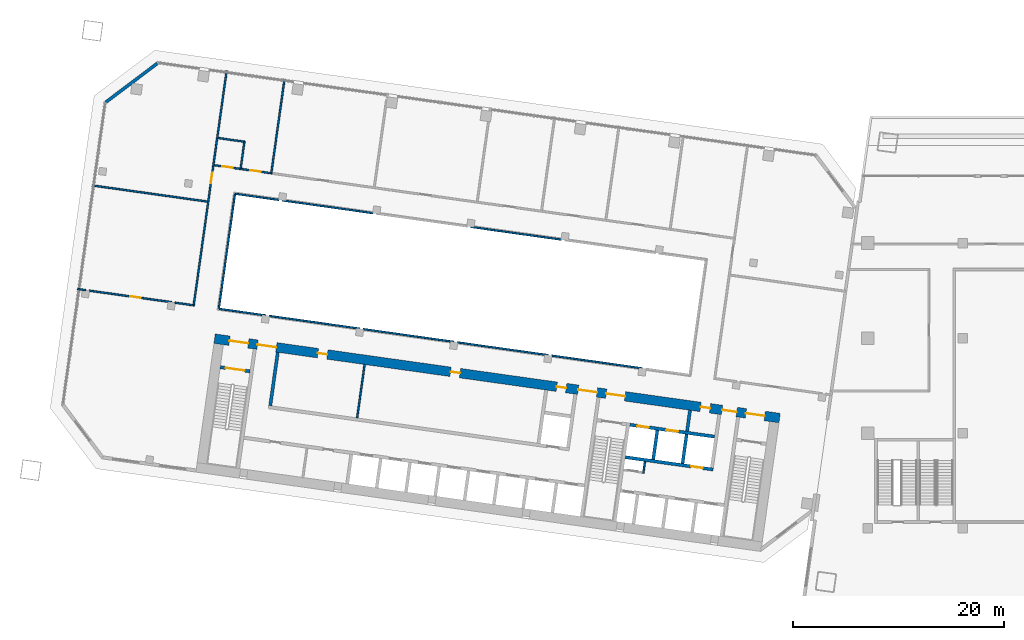
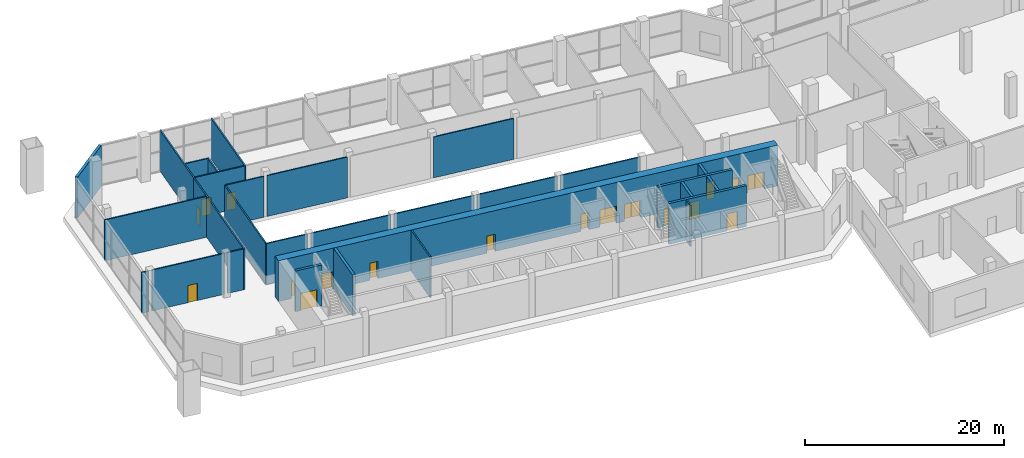
# One storey, part 11 of 23: 30 walls, 18 doors, 18 openings.
"""IFC4 building model written with IfcOpenShell, lengths in metres."""

from ifc_helpers import new_model, si_unit, direction, frame, frame_2d, origin, place, context, subcontext, project, spatial, rectangle, extrude, material, layer, layer_set, type_object, element, fill, save


model = new_model("IFC4")

# Units and contexts
model_context = context("Model", 3, precision=1e-05, world=origin(), true_north=direction((0.0, 1.0)))
body_context = subcontext(model_context, "Body", "Model", "MODEL_VIEW")
ifc_project = project(units=[si_unit("LENGTHUNIT", "METRE"), si_unit("AREAUNIT", "SQUARE_METRE"), si_unit("VOLUMEUNIT", "CUBIC_METRE"), si_unit("PLANEANGLEUNIT", "RADIAN"), si_unit("MASSUNIT", "GRAM", prefix="KILO")], contexts=[model_context])

# Site, building, storey
site_placement = place(None, origin())
site = spatial("IfcSite", under=ifc_project, at=site_placement, CompositionType="ELEMENT")
building_placement = place(site_placement, origin())
building = spatial("IfcBuilding", under=site, at=building_placement, Name="Mirante Cascada Hotel Towers", CompositionType="ELEMENT")
storey_placement = place(building_placement, frame((0.0, 0.0, 23.5)))
storey = spatial("IfcBuildingStorey", under=building, at=storey_placement, Name="L03", CompositionType="ELEMENT", Elevation=23.5)

# Walls
ifc_material_1 = material(Name="Masonry block", Category="masonry")
ifc_layer_1 = layer(ifc_material_1, 0.15)
ifc_layer_set_1 = layer_set([ifc_layer_1], Name="Core room partition 150 block EI 30")
wall_type_1 = type_object("IfcWallType", Name="Core room partition 150 block EI 30", PredefinedType="PARTITIONING", material=ifc_layer_set_1)
wall_1_placement = place(storey_placement, frame((-48.2295, -12.793, 0.0), z_axis=(0.0, 0.0, 1.0), x_axis=(0.1391935, 0.9902652, 0.0)))
element("IfcWall", 1, at=wall_1_placement, inside=storey, type_object=wall_type_1, Name="Core wall partition T1 L03 2", PredefinedType="PARTITIONING", context=body_context, shape_type="SweptSolid", body=[
    extrude(rectangle(XDim=1.1251, YDim=0.15, at=frame_2d((0.5626, 0.0))), origin(), (0.0, 0.0, 1.0), 5.0),
])
wall_2_placement = place(storey_placement, frame((-75.3131, -7.5476, 0.0), z_axis=(0.0, 0.0, 1.0), x_axis=(0.1391782, 0.9902673, 0.0)))
element("IfcWall", 2, at=wall_2_placement, inside=storey, type_object=wall_type_1, Name="Core wall partition T1 L03 5", PredefinedType="PARTITIONING", context=body_context, shape_type="SweptSolid", body=[
    extrude(rectangle(XDim=5.0999, YDim=0.15, at=frame_2d((2.55, 0.0))), origin(), (0.0, 0.0, 1.0), 5.0),
])
ifc_material_2 = material(Name="Masonry block", Category="masonry")
ifc_layer_2 = layer(ifc_material_2, 0.3)
ifc_layer_set_2 = layer_set([ifc_layer_2], Name="Core wall 300 block EI 120")
wall_type_2 = type_object("IfcWallType", Name="Core wall 300 block EI 120", PredefinedType="PARTITIONING", material=ifc_layer_set_2)
wall_3_placement = place(storey_placement, frame((-44.0843, -8.8061, 0.0), z_axis=(0.0, 0.0, 1.0), x_axis=(0.1391951, 0.990265, 0.0)))
element("IfcWall", 3, at=wall_3_placement, inside=storey, type_object=wall_type_2, Name="Core wall partition T1 L03 1", PredefinedType="PARTITIONING", context=body_context, shape_type="SweptSolid", body=[
    extrude(rectangle(XDim=2.0001, YDim=0.3, at=frame_2d((1.0001, 0.0))), origin(), (0.0, 0.0, 1.0), 5.0),
])
ifc_material_3 = material(Name="Masonry block", Category="masonry")
ifc_layer_3 = layer(ifc_material_3, 0.15)
ifc_layer_set_3 = layer_set([ifc_layer_3], Name="Corridor wall 150 block")
wall_type_3 = type_object("IfcWallType", Name="Corridor wall 150 block", PredefinedType="PARTITIONING", material=ifc_layer_set_3)
wall_4_placement = place(storey_placement, frame((-101.7725, 4.6536, 0.0), z_axis=(0.0, 0.0, 1.0), x_axis=(0.9902566, -0.1392548, 0.0)))
element("IfcWall", 4, at=wall_4_placement, inside=storey, type_object=wall_type_3, Name="Corridor wall T1 L03", PredefinedType="PARTITIONING", context=body_context, shape_type="SweptSolid", body=[
    extrude(rectangle(XDim=0.7756, YDim=0.15, at=frame_2d((0.3878, 0.0))), origin(), (0.0, 0.0, 1.0), 5.0),
])
wall_5_placement = place(storey_placement, frame((-88.3742, 2.7705, 0.0), z_axis=(0.0, 0.0, 1.0), x_axis=(0.9902682, -0.1391725, 0.0)))
element("IfcWall", 5, at=wall_5_placement, inside=storey, type_object=wall_type_3, Name="Corridor wall T1 L03", PredefinedType="PARTITIONING", context=body_context, shape_type="SweptSolid", body=[
    extrude(rectangle(XDim=4.4456, YDim=0.15, at=frame_2d((2.2228, 0.0))), origin(), (0.0, 0.0, 1.0), 5.0),
])
wall_6_placement = place(storey_placement, frame((-86.8433, 13.6635, 0.0), z_axis=(0.0, 0.0, 1.0), x_axis=(0.9902672, -0.1391794, 0.0)))
element("IfcWall", 6, at=wall_6_placement, inside=storey, type_object=wall_type_3, Name="Corridor wall T1 L03", PredefinedType="PARTITIONING", context=body_context, shape_type="SweptSolid", body=[
    extrude(rectangle(XDim=4.1658, YDim=0.15, at=frame_2d((2.0829, 0.0))), origin(), (0.0, 0.0, 1.0), 5.0),
])
wall_7_placement = place(storey_placement, frame((-88.3997, 2.8044, 0.0), z_axis=(0.0, 0.0, 1.0), x_axis=(0.1391764, 0.9902676, 0.0)))
element("IfcWall", 7, at=wall_7_placement, inside=storey, type_object=wall_type_3, Name="Corridor wall T1 L03", PredefinedType="PARTITIONING", context=body_context, shape_type="SweptSolid", body=[
    extrude(rectangle(XDim=10.9401, YDim=0.15, at=frame_2d((5.47, 0.0))), origin(), (0.0, 0.0, 1.0), 5.0),
])

# Wall, opening, door
wall_8_placement = place(storey_placement, frame((-90.791, 3.0345, 0.0), z_axis=(0.0, 0.0, 1.0), x_axis=(0.1391789, 0.9902673, 0.0)))
wall_8 = element("IfcWall", 8, at=wall_8_placement, inside=storey, type_object=wall_type_3, Name="Corridor wall T1 L03", PredefinedType="PARTITIONING", context=body_context, shape_type="SweptSolid", body=[
    extrude(rectangle(XDim=13.4, YDim=0.15, at=frame_2d((6.7, 0.0))), origin(), (0.0, 0.0, 1.0), 5.0),
])
opening_1_placement = place(wall_8_placement, frame((11.7325, 0.0, 0.0)))
opening_1 = element("IfcOpeningElement", 9, at=opening_1_placement, cuts=wall_8, Name="Opening DP1-L03-04", PredefinedType="OPENING", context=body_context, shape_type="SweptSolid", body=[
    extrude(rectangle(XDim=1.0, YDim=2.1, at=frame_2d((0.5, 1.05))), frame((0.0, 0.075, 0.0), z_axis=(0.0, -1.0, 0.0), x_axis=(1.0, 0.0, 0.0)), (0.0, 0.0, 1.0), 0.15),
])
ifc_material_4 = material(Name="Timber door leaf", Category="wood")
door_type_1 = type_object("IfcDoorType", Name="Single door 1000x2100", OperationType="NOTDEFINED", PredefinedType="DOOR", material=ifc_material_4)
door_1_placement = place(opening_1_placement, origin())
door_1 = element("IfcDoor", 10, at=door_1_placement, inside=storey, type_object=door_type_1, Name="Door DP1-L03-04", OperationType="SINGLE_SWING_RIGHT", OverallHeight=2.1, OverallWidth=1.0, PredefinedType="DOOR", context=body_context, shape_type="SweptSolid", body=[
    extrude(rectangle(XDim=1.0, YDim=2.1, at=frame_2d((0.5, 1.05))), frame((0.0, 0.025, 0.0), z_axis=(0.0, -1.0, 0.0), x_axis=(1.0, 0.0, 0.0)), (0.0, 0.0, 1.0), 0.05),
])
fill(opening_1, door_1)

wall_9_placement = place(storey_placement, frame((-100.679, 4.4999, 0.0), z_axis=(0.0, 0.0, 1.0), x_axis=(0.9902679, -0.1391746, 0.0)))
wall_9 = element("IfcWall", 11, at=wall_9_placement, inside=storey, type_object=wall_type_3, Name="Corridor wall T1 L03", PredefinedType="PARTITIONING", context=body_context, shape_type="SweptSolid", body=[
    extrude(rectangle(XDim=7.8714, YDim=0.15, at=frame_2d((3.9357, 0.0))), origin(), (0.0, 0.0, 1.0), 5.0),
])
opening_2_placement = place(wall_9_placement, frame((3.9133, 0.0, 0.0)))
opening_2 = element("IfcOpeningElement", 12, at=opening_2_placement, cuts=wall_9, Name="Opening DP1-L03-03", PredefinedType="OPENING", context=body_context, shape_type="SweptSolid", body=[
    extrude(rectangle(XDim=1.0, YDim=2.1, at=frame_2d((0.5, 1.05))), frame((0.0, 0.075, 0.0), z_axis=(0.0, -1.0, 0.0), x_axis=(1.0, 0.0, 0.0)), (0.0, 0.0, 1.0), 0.15),
])
door_2_placement = place(opening_2_placement, origin())
door_2 = element("IfcDoor", 13, at=door_2_placement, inside=storey, type_object=door_type_1, Name="Door DP1-L03-03", OperationType="SINGLE_SWING_LEFT", OverallHeight=2.1, OverallWidth=1.0, PredefinedType="DOOR", context=body_context, shape_type="SweptSolid", body=[
    extrude(rectangle(XDim=1.0, YDim=2.1, at=frame_2d((0.5, 1.05))), frame((0.0, 0.025, 0.0), z_axis=(0.0, -1.0, 0.0), x_axis=(1.0, 0.0, 0.0)), (0.0, 0.0, 1.0), 0.05),
])
fill(opening_2, door_2)

# Walls
wall_10_placement = place(storey_placement, frame((-92.5588, 3.3587, 0.0), z_axis=(0.0, 0.0, 1.0), x_axis=(0.9902659, -0.1391884, 0.0)))
element("IfcWall", 14, at=wall_10_placement, inside=storey, type_object=wall_type_3, Name="Corridor wall T1 L03", PredefinedType="PARTITIONING", context=body_context, shape_type="SweptSolid", body=[
    extrude(rectangle(XDim=1.7307, YDim=0.15, at=frame_2d((0.8654, 0.0))), origin(), (0.0, 0.0, 1.0), 5.0),
])
for number, where, z_axis, x_axis, name in (
    (15, (-83.6464, 2.1061, 0.0), (0.0, 0.0, 1.0), (0.9902682, -0.139172, 0.0), "Corridor wall T1 L03"),
    (16, (-74.734, 0.8535, 0.0), (0.0, 0.0, 1.0), (0.9902682, -0.139172, 0.0), "Corridor wall T1 L03"),
    (17, (-65.8216, -0.399, 0.0), (0.0, 0.0, 1.0), (0.9902682, -0.139172, 0.0), "Corridor wall T1 L03"),
):
    element("IfcWall", number, at=place(storey_placement, frame(where, z_axis=z_axis, x_axis=x_axis)), inside=storey, type_object=wall_type_3, Name=name, PredefinedType="PARTITIONING", context=body_context, shape_type="SweptSolid", body=[
        extrude(rectangle(XDim=8.6713, YDim=0.15, at=frame_2d((4.3356, 0.0))), origin(), (0.0, 0.0, 1.0), 5.0),
    ])
wall_11_placement = place(storey_placement, frame((-56.9091, -1.6516, 0.0), z_axis=(0.0, 0.0, 1.0), x_axis=(0.990268, -0.1391735, 0.0)))
element("IfcWall", 18, at=wall_11_placement, inside=storey, type_object=wall_type_3, Name="Corridor wall T1 L03", PredefinedType="PARTITIONING", context=body_context, shape_type="SweptSolid", body=[
    extrude(rectangle(XDim=8.6712, YDim=0.15, at=frame_2d((4.3356, 0.0))), origin(), (0.0, 0.0, 1.0), 5.0),
])
for number, where, z_axis, x_axis, name in (
    (19, (-82.3925, 13.038, 0.0), (0.0, 0.0, 1.0), (0.9902682, -0.139172, 0.0), "Corridor wall T1 L03"),
    (20, (-64.5677, 10.5329, 0.0), (0.0, 0.0, 1.0), (0.9902682, -0.139172, 0.0), "Corridor wall T1 L03"),
):
    element("IfcWall", number, at=place(storey_placement, frame(where, z_axis=z_axis, x_axis=x_axis)), inside=storey, type_object=wall_type_3, Name=name, PredefinedType="PARTITIONING", context=body_context, shape_type="SweptSolid", body=[
        extrude(rectangle(XDim=8.6713, YDim=0.15, at=frame_2d((4.3356, 0.0))), origin(), (0.0, 0.0, 1.0), 5.0),
    ])
ifc_material_5 = material(Name="Masonry block", Category="masonry")
ifc_layer_4 = layer(ifc_material_5, 0.15)
ifc_layer_set_4 = layer_set([ifc_layer_4], Name="Partition 150 block")
wall_type_4 = type_object("IfcWallType", Name="Partition 150 block", PredefinedType="PARTITIONING", material=ifc_layer_set_4)
wall_12_placement = place(storey_placement, frame((-100.3947, 14.4572, 0.0), z_axis=(0.0, 0.0, 1.0), x_axis=(0.9902679, -0.1391746, 0.0)))
element("IfcWall", 21, at=wall_12_placement, inside=storey, type_object=wall_type_4, Name="Partition T1 L03", PredefinedType="PARTITIONING", context=body_context, shape_type="SweptSolid", body=[
    extrude(rectangle(XDim=11.025, YDim=0.15, at=frame_2d((5.5125, 0.0))), origin(), (0.0, 0.0, 1.0), 5.0),
])
ifc_material_6 = material(Name="Precast concrete C40/50", Category="concrete")
ifc_layer_5 = layer(ifc_material_6, 0.3)
ifc_layer_set_5 = layer_set([ifc_layer_5], Name="Precast concrete C40/50 cladding wall 300")
wall_type_5 = type_object("IfcWallType", Name="Precast concrete C40/50 cladding wall 300", PredefinedType="STANDARD", material=ifc_layer_set_5)
wall_13_placement = place(storey_placement, frame((-99.0919, 22.3343, 0.0), z_axis=(0.0, 0.0, 1.0), x_axis=(0.7986362, 0.6018141, 0.0)))
element("IfcWall", 22, at=wall_13_placement, inside=storey, type_object=wall_type_5, Name="Corner cladding wall T1 L03 outer front", PredefinedType="STANDARD", context=body_context, shape_type="SweptSolid", body=[
    extrude(rectangle(XDim=6.1157, YDim=0.3, at=frame_2d((3.0578, 0.0))), origin(), (0.0, 0.0, 1.0), 5.0),
])

# Wall, opening, door
ifc_material_7 = material(Name="Concrete C50/60", Category="concrete")
ifc_layer_6 = layer(ifc_material_7, 0.3)
ifc_layer_set_6 = layer_set([ifc_layer_6], Name="RC core wall 300 C50/60")
wall_type_6 = type_object("IfcWallType", Name="RC core wall 300 C50/60", PredefinedType="SHEAR", material=ifc_layer_set_6)
wall_14_placement = place(storey_placement, frame((-85.4489, -3.1441, 0.0), z_axis=(0.0, 0.0, 1.0), x_axis=(-0.9902697, 0.1391613, 0.0)))
wall_14 = element("IfcWall", 23, at=wall_14_placement, inside=storey, type_object=wall_type_6, Name="Core wall T1:L03:11", PredefinedType="SHEAR", context=body_context, shape_type="SweptSolid", body=[
    extrude(rectangle(XDim=2.8499, YDim=0.3, at=frame_2d((1.425, 0.0))), origin(), (0.0, 0.0, 1.0), 5.0),
])
opening_3_placement = place(wall_14_placement, frame((0.525, 0.0, 0.0)))
opening_3 = element("IfcOpeningElement", 24, at=opening_3_placement, cuts=wall_14, Name="Opening D1-03-C20", PredefinedType="OPENING", context=body_context, shape_type="SweptSolid", body=[
    extrude(rectangle(XDim=1.8, YDim=2.1, at=frame_2d((0.9, 1.05))), frame((0.0, 0.15, 0.0), z_axis=(0.0, -1.0, 0.0), x_axis=(1.0, 0.0, 0.0)), (0.0, 0.0, 1.0), 0.3),
])
ifc_material_8 = material(Name="Hollow metal fire door leaf")
door_type_2 = type_object("IfcDoorType", Name="Double fire door 1800x2100 FD60", OperationType="DOUBLE_DOOR_SINGLE_SWING", PredefinedType="DOOR", material=ifc_material_8)
door_3_placement = place(opening_3_placement, origin())
door_3 = element("IfcDoor", 25, at=door_3_placement, inside=storey, type_object=door_type_2, Name="Stair door T1 L03 20", OperationType="DOUBLE_DOOR_SINGLE_SWING", OverallHeight=2.1, OverallWidth=1.8, PredefinedType="DOOR", context=body_context, shape_type="SweptSolid", body=[
    extrude(rectangle(XDim=0.895, YDim=2.1, at=frame_2d((0.4475, 1.05))), frame((0.0, 0.025, 0.0), z_axis=(0.0, -1.0, 0.0), x_axis=(1.0, 0.0, 0.0)), (0.0, 0.0, 1.0), 0.05),
    extrude(rectangle(XDim=0.895, YDim=2.1, at=frame_2d((1.3525, 1.05))), frame((0.0, 0.025, 0.0), z_axis=(0.0, -1.0, 0.0), x_axis=(1.0, 0.0, 0.0)), (0.0, 0.0, 1.0), 0.05),
])
fill(opening_3, door_3)

wall_15_placement = place(storey_placement, frame((-41.6153, -12.435, 0.0), z_axis=(0.0, 0.0, 1.0), x_axis=(-0.9902691, 0.139166, 0.0)))
wall_15 = element("IfcWall", 26, at=wall_15_placement, inside=storey, type_object=wall_type_6, Name="Core wall T1:L03:13", PredefinedType="SHEAR", context=body_context, shape_type="SweptSolid", body=[
    extrude(rectangle(XDim=8.4, YDim=0.3, at=frame_2d((4.2, 0.0))), origin(), (0.0, 0.0, 1.0), 5.0),
])
opening_4_placement = place(wall_15_placement, frame((1.0, 0.0, 0.0)))
opening_4 = element("IfcOpeningElement", 27, at=opening_4_placement, cuts=wall_15, Name="Opening LD", PredefinedType="OPENING", context=body_context, shape_type="SweptSolid", body=[
    extrude(rectangle(XDim=1.1, YDim=2.1, at=frame_2d((0.55, 1.05))), frame((0.0, 0.15, 0.0), z_axis=(0.0, -1.0, 0.0), x_axis=(1.0, 0.0, 0.0)), (0.0, 0.0, 1.0), 0.3),
])
ifc_material_9 = material(Name="Stainless steel", Category="steel")
door_type_3 = type_object("IfcDoorType", Name="Lift landing door 1100x2100 EI 120", OperationType="DOUBLE_DOOR_SLIDING", PredefinedType="DOOR", material=ifc_material_9)
door_4_placement = place(opening_4_placement, origin())
door_4 = element("IfcDoor", 28, at=door_4_placement, inside=storey, type_object=door_type_3, Name="Lift landing door HR1-4 L03", OperationType="DOUBLE_DOOR_SLIDING", OverallHeight=2.1, OverallWidth=1.1, PredefinedType="DOOR", context=body_context, shape_type="SweptSolid", body=[
    extrude(rectangle(XDim=0.545, YDim=2.1, at=frame_2d((0.2725, 1.05))), frame((0.0, 0.025, 0.0), z_axis=(0.0, -1.0, 0.0), x_axis=(1.0, 0.0, 0.0)), (0.0, 0.0, 1.0), 0.05),
    extrude(rectangle(XDim=0.545, YDim=2.1, at=frame_2d((0.8275, 1.05))), frame((0.0, 0.025, 0.0), z_axis=(0.0, -1.0, 0.0), x_axis=(1.0, 0.0, 0.0)), (0.0, 0.0, 1.0), 0.05),
])
fill(opening_4, door_4)

# Wall, openings, doors
wall_16_placement = place(storey_placement, frame((-41.481, -9.3234, 0.0), z_axis=(0.0, 0.0, 1.0), x_axis=(-0.9902679, 0.1391741, 0.0)))
wall_16 = element("IfcWall", 29, at=wall_16_placement, inside=storey, type_object=wall_type_6, Name="Core wall T1:L03:14", PredefinedType="SHEAR", context=body_context, shape_type="SweptSolid", body=[
    extrude(rectangle(XDim=8.0999, YDim=0.3, at=frame_2d((4.05, 0.0))), origin(), (0.0, 0.0, 1.0), 5.0),
])
opening_5_placement = place(wall_16_placement, frame((3.5, 0.0, 0.0)))
opening_5 = element("IfcOpeningElement", 30, at=opening_5_placement, cuts=wall_16, Name="Opening LD", PredefinedType="OPENING", context=body_context, shape_type="SweptSolid", body=[
    extrude(rectangle(XDim=1.1, YDim=2.1, at=frame_2d((0.55, 1.05))), frame((0.0, 0.15, 0.0), z_axis=(0.0, -1.0, 0.0), x_axis=(1.0, 0.0, 0.0)), (0.0, 0.0, 1.0), 0.3),
])
opening_6_placement = place(wall_16_placement, frame((6.3, 0.0, 0.0)))
opening_6 = element("IfcOpeningElement", 31, at=opening_6_placement, cuts=wall_16, Name="Opening LD", PredefinedType="OPENING", context=body_context, shape_type="SweptSolid", body=[
    extrude(rectangle(XDim=1.1, YDim=2.1, at=frame_2d((0.55, 1.05))), frame((0.0, 0.15, 0.0), z_axis=(0.0, -1.0, 0.0), x_axis=(1.0, 0.0, 0.0)), (0.0, 0.0, 1.0), 0.3),
])
door_5_placement = place(opening_5_placement, origin())
door_5 = element("IfcDoor", 32, at=door_5_placement, inside=storey, type_object=door_type_3, Name="Lift landing door FF1 L03", OperationType="DOUBLE_DOOR_SLIDING", OverallHeight=2.1, OverallWidth=1.1, PredefinedType="DOOR", context=body_context, shape_type="SweptSolid", body=[
    extrude(rectangle(XDim=0.545, YDim=2.1, at=frame_2d((0.2725, 1.05))), frame((0.0, 0.025, 0.0), z_axis=(0.0, -1.0, 0.0), x_axis=(1.0, 0.0, 0.0)), (0.0, 0.0, 1.0), 0.05),
    extrude(rectangle(XDim=0.545, YDim=2.1, at=frame_2d((0.8275, 1.05))), frame((0.0, 0.025, 0.0), z_axis=(0.0, -1.0, 0.0), x_axis=(1.0, 0.0, 0.0)), (0.0, 0.0, 1.0), 0.05),
])
fill(opening_5, door_5)
door_6_placement = place(opening_6_placement, origin())
door_6 = element("IfcDoor", 33, at=door_6_placement, inside=storey, type_object=door_type_3, Name="Lift landing door FF2 L03", OperationType="DOUBLE_DOOR_SLIDING", OverallHeight=2.1, OverallWidth=1.1, PredefinedType="DOOR", context=body_context, shape_type="SweptSolid", body=[
    extrude(rectangle(XDim=0.545, YDim=2.1, at=frame_2d((0.2725, 1.05))), frame((0.0, 0.025, 0.0), z_axis=(0.0, -1.0, 0.0), x_axis=(1.0, 0.0, 0.0)), (0.0, 0.0, 1.0), 0.05),
    extrude(rectangle(XDim=0.545, YDim=2.1, at=frame_2d((0.8275, 1.05))), frame((0.0, 0.025, 0.0), z_axis=(0.0, -1.0, 0.0), x_axis=(1.0, 0.0, 0.0)), (0.0, 0.0, 1.0), 0.05),
])
fill(opening_6, door_6)

# Walls
for number, where, z_axis, x_axis, name in (
    (34, (-44.5157, -11.8759, 0.0), (0.0, 0.0, 1.0), (0.139181, 0.990267, 0.0), "Core wall T1:L03:18"),
    (35, (-47.2885, -11.4862, 0.0), (0.0, 0.0, 1.0), (0.139181, 0.990267, 0.0), "Core wall T1:L03:19"),
):
    element("IfcWall", number, at=place(storey_placement, frame(where, z_axis=z_axis, x_axis=x_axis)), inside=storey, type_object=wall_type_6, Name=name, PredefinedType="SHEAR", context=body_context, shape_type="SweptSolid", body=[
        extrude(rectangle(XDim=2.8, YDim=0.3, at=frame_2d((1.4, 0.0))), origin(), (0.0, 0.0, 1.0), 5.0),
    ])
wall_17_placement = place(storey_placement, frame((-83.5323, -6.3925, 0.0), z_axis=(0.0, 0.0, 1.0), x_axis=(0.1391755, 0.9902677, 0.0)))
element("IfcWall", 36, at=wall_17_placement, inside=storey, type_object=wall_type_6, Name="Core wall T1:L03:36", PredefinedType="SHEAR", context=body_context, shape_type="SweptSolid", body=[
    extrude(rectangle(XDim=5.1, YDim=0.3, at=frame_2d((2.55, 0.0))), origin(), (0.0, 0.0, 1.0), 5.0),
])

# Wall, openings, doors
ifc_material_10 = material(Name="Concrete C50/60", Category="concrete")
ifc_layer_7 = layer(ifc_material_10, 0.9)
ifc_layer_set_7 = layer_set([ifc_layer_7], Name="RC core wall 900 C50/60")
wall_type_7 = type_object("IfcWallType", Name="RC core wall 900 C50/60", PredefinedType="SHEAR", material=ifc_layer_set_7)
wall_18_placement = place(storey_placement, frame((-35.326, -7.5629, 0.0), z_axis=(0.0, 0.0, 1.0), x_axis=(-0.9902679, 0.139174, 0.0)))
wall_18 = element("IfcWall", 37, at=wall_18_placement, inside=storey, type_object=wall_type_7, Name="Core wall T1:L03:2", PredefinedType="SHEAR", context=body_context, shape_type="SweptSolid", body=[
    extrude(rectangle(XDim=54.0, YDim=0.9, at=frame_2d((27.0, 0.0))), origin(), (0.0, 0.0, 1.0), 5.0),
])
opening_7_placement = place(wall_18_placement, frame((1.425, 0.0, 0.0)))
opening_7 = element("IfcOpeningElement", 38, at=opening_7_placement, cuts=wall_18, Name="Opening D1-03-C17", PredefinedType="OPENING", context=body_context, shape_type="SweptSolid", body=[
    extrude(rectangle(XDim=1.8, YDim=2.1, at=frame_2d((0.9, 1.05))), frame((0.0, 0.45, 0.0), z_axis=(0.0, -1.0, 0.0), x_axis=(1.0, 0.0, 0.0)), (0.0, 0.0, 1.0), 0.9),
])
opening_8_placement = place(wall_18_placement, frame((14.775, 0.0, 0.0)))
opening_8 = element("IfcOpeningElement", 39, at=opening_8_placement, cuts=wall_18, Name="Opening D1-03-C19", PredefinedType="OPENING", context=body_context, shape_type="SweptSolid", body=[
    extrude(rectangle(XDim=1.8, YDim=2.1, at=frame_2d((0.9, 1.05))), frame((0.0, 0.45, 0.0), z_axis=(0.0, -1.0, 0.0), x_axis=(1.0, 0.0, 0.0)), (0.0, 0.0, 1.0), 0.9),
])
opening_9_placement = place(wall_18_placement, frame((50.775, 0.0, 0.0)))
opening_9 = element("IfcOpeningElement", 40, at=opening_9_placement, cuts=wall_18, Name="Opening D1-03-C21", PredefinedType="OPENING", context=body_context, shape_type="SweptSolid", body=[
    extrude(rectangle(XDim=1.8, YDim=2.1, at=frame_2d((0.9, 1.05))), frame((0.0, 0.45, 0.0), z_axis=(0.0, -1.0, 0.0), x_axis=(1.0, 0.0, 0.0)), (0.0, 0.0, 1.0), 0.9),
])
opening_10_placement = place(wall_18_placement, frame((4.1, 0.0, 0.0)))
opening_10 = element("IfcOpeningElement", 41, at=opening_10_placement, cuts=wall_18, Name="Opening D1-03-C22", PredefinedType="OPENING", context=body_context, shape_type="SweptSolid", body=[
    extrude(rectangle(XDim=1.4, YDim=2.1, at=frame_2d((0.7, 1.05))), frame((0.0, 0.45, 0.0), z_axis=(0.0, -1.0, 0.0), x_axis=(1.0, 0.0, 0.0)), (0.0, 0.0, 1.0), 0.9),
])
opening_11_placement = place(wall_18_placement, frame((17.45, 0.0, 0.0)))
opening_11 = element("IfcOpeningElement", 42, at=opening_11_placement, cuts=wall_18, Name="Opening D1-03-C23", PredefinedType="OPENING", context=body_context, shape_type="SweptSolid", body=[
    extrude(rectangle(XDim=1.8, YDim=2.1, at=frame_2d((0.9, 1.05))), frame((0.0, 0.45, 0.0), z_axis=(0.0, -1.0, 0.0), x_axis=(1.0, 0.0, 0.0)), (0.0, 0.0, 1.0), 0.9),
])
opening_12_placement = place(wall_18_placement, frame((48.1, 0.0, 0.0)))
opening_12 = element("IfcOpeningElement", 43, at=opening_12_placement, cuts=wall_18, Name="Opening D1-03-C24", PredefinedType="OPENING", context=body_context, shape_type="SweptSolid", body=[
    extrude(rectangle(XDim=1.8, YDim=2.1, at=frame_2d((0.9, 1.05))), frame((0.0, 0.45, 0.0), z_axis=(0.0, -1.0, 0.0), x_axis=(1.0, 0.0, 0.0)), (0.0, 0.0, 1.0), 0.9),
])
opening_13_placement = place(wall_18_placement, frame((6.65, 0.0, 0.0)))
opening_13 = element("IfcOpeningElement", 44, at=opening_13_placement, cuts=wall_18, Name="Opening D1-03-C27", PredefinedType="OPENING", context=body_context, shape_type="SweptSolid", body=[
    extrude(rectangle(XDim=0.9, YDim=2.1, at=frame_2d((0.45, 1.05))), frame((0.0, 0.45, 0.0), z_axis=(0.0, -1.0, 0.0), x_axis=(1.0, 0.0, 0.0)), (0.0, 0.0, 1.0), 0.9),
])
opening_14_placement = place(wall_18_placement, frame((20.4, 0.0, 0.0)))
opening_14 = element("IfcOpeningElement", 45, at=opening_14_placement, cuts=wall_18, Name="Opening D1-03-C30", PredefinedType="OPENING", context=body_context, shape_type="SweptSolid", body=[
    extrude(rectangle(XDim=0.9, YDim=2.1, at=frame_2d((0.45, 1.05))), frame((0.0, 0.45, 0.0), z_axis=(0.0, -1.0, 0.0), x_axis=(1.0, 0.0, 0.0)), (0.0, 0.0, 1.0), 0.9),
])
opening_15_placement = place(wall_18_placement, frame((30.55, 0.0, 0.0)))
opening_15 = element("IfcOpeningElement", 46, at=opening_15_placement, cuts=wall_18, Name="Opening D1-03-C31", PredefinedType="OPENING", context=body_context, shape_type="SweptSolid", body=[
    extrude(rectangle(XDim=0.9, YDim=2.1, at=frame_2d((0.45, 1.05))), frame((0.0, 0.45, 0.0), z_axis=(0.0, -1.0, 0.0), x_axis=(1.0, 0.0, 0.0)), (0.0, 0.0, 1.0), 0.9),
])
opening_16_placement = place(wall_18_placement, frame((43.225, 0.0, 0.0)))
opening_16 = element("IfcOpeningElement", 47, at=opening_16_placement, cuts=wall_18, Name="Opening D1-03-C32", PredefinedType="OPENING", context=body_context, shape_type="SweptSolid", body=[
    extrude(rectangle(XDim=0.9, YDim=2.1, at=frame_2d((0.45, 1.05))), frame((0.0, 0.45, 0.0), z_axis=(0.0, -1.0, 0.0), x_axis=(1.0, 0.0, 0.0)), (0.0, 0.0, 1.0), 0.9),
])
ifc_material_11 = material(Name="Hollow metal fire door leaf")
door_type_4 = type_object("IfcDoorType", Name="Double fire door 1400x2100 FD60", OperationType="DOUBLE_DOOR_SINGLE_SWING", PredefinedType="DOOR", material=ifc_material_11)
door_7_placement = place(opening_10_placement, frame((1.4, 0.0, 0.0), z_axis=(0.0, 0.0, 1.0), x_axis=(-1.0, 0.0, 0.0)))
door_7 = element("IfcDoor", 48, at=door_7_placement, inside=storey, type_object=door_type_4, Name="Exit door to gallery T1 L03 22", OperationType="DOUBLE_DOOR_SINGLE_SWING", OverallHeight=2.1, OverallWidth=1.4, PredefinedType="DOOR", context=body_context, shape_type="SweptSolid", body=[
    extrude(rectangle(XDim=0.695, YDim=2.1, at=frame_2d((0.3475, 1.05))), frame((0.0, 0.025, 0.0), z_axis=(0.0, -1.0, 0.0), x_axis=(1.0, 0.0, 0.0)), (0.0, 0.0, 1.0), 0.05),
    extrude(rectangle(XDim=0.695, YDim=2.1, at=frame_2d((1.0525, 1.05))), frame((0.0, 0.025, 0.0), z_axis=(0.0, -1.0, 0.0), x_axis=(1.0, 0.0, 0.0)), (0.0, 0.0, 1.0), 0.05),
])
fill(opening_10, door_7)
door_8_placement = place(opening_7_placement, origin())
door_8 = element("IfcDoor", 49, at=door_8_placement, inside=storey, type_object=door_type_2, Name="Exit door to gallery T1 L03 17", OperationType="DOUBLE_DOOR_SINGLE_SWING", OverallHeight=2.1, OverallWidth=1.8, PredefinedType="DOOR", context=body_context, shape_type="SweptSolid", body=[
    extrude(rectangle(XDim=0.895, YDim=2.1, at=frame_2d((0.4475, 1.05))), frame((0.0, 0.025, 0.0), z_axis=(0.0, -1.0, 0.0), x_axis=(1.0, 0.0, 0.0)), (0.0, 0.0, 1.0), 0.05),
    extrude(rectangle(XDim=0.895, YDim=2.1, at=frame_2d((1.3525, 1.05))), frame((0.0, 0.025, 0.0), z_axis=(0.0, -1.0, 0.0), x_axis=(1.0, 0.0, 0.0)), (0.0, 0.0, 1.0), 0.05),
])
fill(opening_7, door_8)
door_9_placement = place(opening_8_placement, origin())
door_9 = element("IfcDoor", 50, at=door_9_placement, inside=storey, type_object=door_type_2, Name="Exit door to gallery T1 L03 19", OperationType="DOUBLE_DOOR_SINGLE_SWING", OverallHeight=2.1, OverallWidth=1.8, PredefinedType="DOOR", context=body_context, shape_type="SweptSolid", body=[
    extrude(rectangle(XDim=0.895, YDim=2.1, at=frame_2d((0.4475, 1.05))), frame((0.0, 0.025, 0.0), z_axis=(0.0, -1.0, 0.0), x_axis=(1.0, 0.0, 0.0)), (0.0, 0.0, 1.0), 0.05),
    extrude(rectangle(XDim=0.895, YDim=2.1, at=frame_2d((1.3525, 1.05))), frame((0.0, 0.025, 0.0), z_axis=(0.0, -1.0, 0.0), x_axis=(1.0, 0.0, 0.0)), (0.0, 0.0, 1.0), 0.05),
])
fill(opening_8, door_9)
door_10_placement = place(opening_9_placement, origin())
door_10 = element("IfcDoor", 51, at=door_10_placement, inside=storey, type_object=door_type_2, Name="Exit door to gallery T1 L03 21", OperationType="DOUBLE_DOOR_SINGLE_SWING", OverallHeight=2.1, OverallWidth=1.8, PredefinedType="DOOR", context=body_context, shape_type="SweptSolid", body=[
    extrude(rectangle(XDim=0.895, YDim=2.1, at=frame_2d((0.4475, 1.05))), frame((0.0, 0.025, 0.0), z_axis=(0.0, -1.0, 0.0), x_axis=(1.0, 0.0, 0.0)), (0.0, 0.0, 1.0), 0.05),
    extrude(rectangle(XDim=0.895, YDim=2.1, at=frame_2d((1.3525, 1.05))), frame((0.0, 0.025, 0.0), z_axis=(0.0, -1.0, 0.0), x_axis=(1.0, 0.0, 0.0)), (0.0, 0.0, 1.0), 0.05),
])
fill(opening_9, door_10)
door_11_placement = place(opening_11_placement, frame((1.8, 0.0, 0.0), z_axis=(0.0, 0.0, 1.0), x_axis=(-1.0, 0.0, 0.0)))
door_11 = element("IfcDoor", 52, at=door_11_placement, inside=storey, type_object=door_type_2, Name="Exit door to gallery T1 L03 23", OperationType="DOUBLE_DOOR_SINGLE_SWING", OverallHeight=2.1, OverallWidth=1.8, PredefinedType="DOOR", context=body_context, shape_type="SweptSolid", body=[
    extrude(rectangle(XDim=0.895, YDim=2.1, at=frame_2d((0.4475, 1.05))), frame((0.0, 0.025, 0.0), z_axis=(0.0, -1.0, 0.0), x_axis=(1.0, 0.0, 0.0)), (0.0, 0.0, 1.0), 0.05),
    extrude(rectangle(XDim=0.895, YDim=2.1, at=frame_2d((1.3525, 1.05))), frame((0.0, 0.025, 0.0), z_axis=(0.0, -1.0, 0.0), x_axis=(1.0, 0.0, 0.0)), (0.0, 0.0, 1.0), 0.05),
])
fill(opening_11, door_11)
door_12_placement = place(opening_12_placement, frame((1.8, 0.0, 0.0), z_axis=(0.0, 0.0, 1.0), x_axis=(-1.0, 0.0, 0.0)))
door_12 = element("IfcDoor", 53, at=door_12_placement, inside=storey, type_object=door_type_2, Name="Exit door to gallery T1 L03 24", OperationType="DOUBLE_DOOR_SINGLE_SWING", OverallHeight=2.1, OverallWidth=1.8, PredefinedType="DOOR", context=body_context, shape_type="SweptSolid", body=[
    extrude(rectangle(XDim=0.895, YDim=2.1, at=frame_2d((0.4475, 1.05))), frame((0.0, 0.025, 0.0), z_axis=(0.0, -1.0, 0.0), x_axis=(1.0, 0.0, 0.0)), (0.0, 0.0, 1.0), 0.05),
    extrude(rectangle(XDim=0.895, YDim=2.1, at=frame_2d((1.3525, 1.05))), frame((0.0, 0.025, 0.0), z_axis=(0.0, -1.0, 0.0), x_axis=(1.0, 0.0, 0.0)), (0.0, 0.0, 1.0), 0.05),
])
fill(opening_12, door_12)
ifc_material_12 = material(Name="Hollow metal fire door leaf")
door_type_5 = type_object("IfcDoorType", Name="Fire door 900x2100 FD60", OperationType="NOTDEFINED", PredefinedType="DOOR", material=ifc_material_12)
door_13_placement = place(opening_13_placement, origin())
door_13 = element("IfcDoor", 54, at=door_13_placement, inside=storey, type_object=door_type_5, Name="Room door T1 L03 27", OperationType="SINGLE_SWING_RIGHT", OverallHeight=2.1, OverallWidth=0.9, PredefinedType="DOOR", context=body_context, shape_type="SweptSolid", body=[
    extrude(rectangle(XDim=0.9, YDim=2.1, at=frame_2d((0.45, 1.05))), frame((0.0, 0.025, 0.0), z_axis=(0.0, -1.0, 0.0), x_axis=(1.0, 0.0, 0.0)), (0.0, 0.0, 1.0), 0.05),
])
fill(opening_13, door_13)
door_14_placement = place(opening_14_placement, origin())
door_14 = element("IfcDoor", 55, at=door_14_placement, inside=storey, type_object=door_type_5, Name="Room door T1 L03 30", OperationType="SINGLE_SWING_RIGHT", OverallHeight=2.1, OverallWidth=0.9, PredefinedType="DOOR", context=body_context, shape_type="SweptSolid", body=[
    extrude(rectangle(XDim=0.9, YDim=2.1, at=frame_2d((0.45, 1.05))), frame((0.0, 0.025, 0.0), z_axis=(0.0, -1.0, 0.0), x_axis=(1.0, 0.0, 0.0)), (0.0, 0.0, 1.0), 0.05),
])
fill(opening_14, door_14)
door_15_placement = place(opening_15_placement, origin())
door_15 = element("IfcDoor", 56, at=door_15_placement, inside=storey, type_object=door_type_5, Name="Room door T1 L03 31", OperationType="SINGLE_SWING_LEFT", OverallHeight=2.1, OverallWidth=0.9, PredefinedType="DOOR", context=body_context, shape_type="SweptSolid", body=[
    extrude(rectangle(XDim=0.9, YDim=2.1, at=frame_2d((0.45, 1.05))), frame((0.0, 0.025, 0.0), z_axis=(0.0, -1.0, 0.0), x_axis=(1.0, 0.0, 0.0)), (0.0, 0.0, 1.0), 0.05),
])
fill(opening_15, door_15)
door_16_placement = place(opening_16_placement, origin())
door_16 = element("IfcDoor", 57, at=door_16_placement, inside=storey, type_object=door_type_5, Name="Room door T1 L03 32", OperationType="SINGLE_SWING_LEFT", OverallHeight=2.1, OverallWidth=0.9, PredefinedType="DOOR", context=body_context, shape_type="SweptSolid", body=[
    extrude(rectangle(XDim=0.9, YDim=2.1, at=frame_2d((0.45, 1.05))), frame((0.0, 0.025, 0.0), z_axis=(0.0, -1.0, 0.0), x_axis=(1.0, 0.0, 0.0)), (0.0, 0.0, 1.0), 0.05),
])
fill(opening_16, door_16)

ifc_material_13 = material(Name="Masonry block", Category="masonry")
ifc_layer_8 = layer(ifc_material_13, 0.15)
ifc_layer_set_8 = layer_set([ifc_layer_8], Name="Wet room wall 150 block")
wall_type_8 = type_object("IfcWallType", Name="Wet room wall 150 block", PredefinedType="PARTITIONING", material=ifc_layer_set_8)
wall_19_placement = place(storey_placement, frame((-88.8413, 16.3679, 0.0), z_axis=(0.0, 0.0, 1.0), x_axis=(0.9902681, -0.139173, 0.0)))
wall_19 = element("IfcWall", 58, at=wall_19_placement, inside=storey, type_object=wall_type_8, Name="Wet room wall T1 L03", PredefinedType="PARTITIONING", context=body_context, shape_type="SweptSolid", body=[
    extrude(rectangle(XDim=5.3933, YDim=0.15, at=frame_2d((2.6966, 0.0))), origin(), (0.0, 0.0, 1.0), 5.0),
])
opening_17_placement = place(wall_19_placement, frame((3.4591, 0.0, 0.0)))
opening_17 = element("IfcOpeningElement", 59, at=opening_17_placement, cuts=wall_19, Name="Opening DP1-L03-11", PredefinedType="OPENING", context=body_context, shape_type="SweptSolid", body=[
    extrude(rectangle(XDim=1.0, YDim=2.1, at=frame_2d((0.5, 1.05))), frame((0.0, 0.075, 0.0), z_axis=(0.0, -1.0, 0.0), x_axis=(1.0, 0.0, 0.0)), (0.0, 0.0, 1.0), 0.15),
])
opening_18_placement = place(wall_19_placement, frame((0.7625, 0.0, 0.0)))
opening_18 = element("IfcOpeningElement", 60, at=opening_18_placement, cuts=wall_19, Name="Opening DP1-L03-12", PredefinedType="OPENING", context=body_context, shape_type="SweptSolid", body=[
    extrude(rectangle(XDim=1.0, YDim=2.1, at=frame_2d((0.5, 1.05))), frame((0.0, 0.075, 0.0), z_axis=(0.0, -1.0, 0.0), x_axis=(1.0, 0.0, 0.0)), (0.0, 0.0, 1.0), 0.15),
])
door_17_placement = place(opening_17_placement, origin())
door_17 = element("IfcDoor", 61, at=door_17_placement, inside=storey, type_object=door_type_1, Name="Door DP1-L03-11", OperationType="SINGLE_SWING_LEFT", OverallHeight=2.1, OverallWidth=1.0, PredefinedType="DOOR", context=body_context, shape_type="SweptSolid", body=[
    extrude(rectangle(XDim=1.0, YDim=2.1, at=frame_2d((0.5, 1.05))), frame((0.0, 0.025, 0.0), z_axis=(0.0, -1.0, 0.0), x_axis=(1.0, 0.0, 0.0)), (0.0, 0.0, 1.0), 0.05),
])
fill(opening_17, door_17)
door_18_placement = place(opening_18_placement, origin())
door_18 = element("IfcDoor", 62, at=door_18_placement, inside=storey, type_object=door_type_1, Name="Door DP1-L03-12", OperationType="SINGLE_SWING_RIGHT", OverallHeight=2.1, OverallWidth=1.0, PredefinedType="DOOR", context=body_context, shape_type="SweptSolid", body=[
    extrude(rectangle(XDim=1.0, YDim=2.1, at=frame_2d((0.5, 1.05))), frame((0.0, 0.025, 0.0), z_axis=(0.0, -1.0, 0.0), x_axis=(1.0, 0.0, 0.0)), (0.0, 0.0, 1.0), 0.05),
])
fill(opening_18, door_18)

# Walls
wall_20_placement = place(storey_placement, frame((-88.4795, 18.9426, 0.0), z_axis=(0.0, 0.0, 1.0), x_axis=(0.990267, -0.139181, 0.0)))
element("IfcWall", 63, at=wall_20_placement, inside=storey, type_object=wall_type_8, Name="Wet room wall T1 L03", PredefinedType="PARTITIONING", context=body_context, shape_type="SweptSolid", body=[
    extrude(rectangle(XDim=2.45, YDim=0.15, at=frame_2d((1.225, 0.0))), origin(), (0.0, 0.0, 1.0), 5.0),
])
wall_21_placement = place(storey_placement, frame((-83.4465, 15.534, 0.0), z_axis=(0.0, 0.0, 1.0), x_axis=(0.139164, 0.9902693, 0.0)))
element("IfcWall", 64, at=wall_21_placement, inside=storey, type_object=wall_type_8, Name="Wet room wall T1 L03", PredefinedType="PARTITIONING", context=body_context, shape_type="SweptSolid", body=[
    extrude(rectangle(XDim=9.0749, YDim=0.15, at=frame_2d((4.5374, 0.0))), origin(), (0.0, 0.0, 1.0), 5.0),
])
wall_22_placement = place(storey_placement, frame((-86.3305, 16.0907, 0.0), z_axis=(0.0, 0.0, 1.0), x_axis=(0.1391918, 0.9902654, 0.0)))
element("IfcWall", 65, at=wall_22_placement, inside=storey, type_object=wall_type_8, Name="Wet room wall T1 L03", PredefinedType="PARTITIONING", context=body_context, shape_type="SweptSolid", body=[
    extrude(rectangle(XDim=2.6, YDim=0.15, at=frame_2d((1.3, 0.0))), origin(), (0.0, 0.0, 1.0), 5.0),
])
wall_23_placement = place(storey_placement, frame((-88.9274, 16.2941, 0.0), z_axis=(0.0, 0.0, 1.0), x_axis=(0.1391742, 0.9902679, 0.0)))
element("IfcWall", 66, at=wall_23_placement, inside=storey, type_object=wall_type_8, Name="Wet room wall T1 L03", PredefinedType="PARTITIONING", context=body_context, shape_type="SweptSolid", body=[
    extrude(rectangle(XDim=9.085, YDim=0.15, at=frame_2d((4.5425, 0.0))), origin(), (0.0, 0.0, 1.0), 5.0),
])

save(model, "model.ifc")
